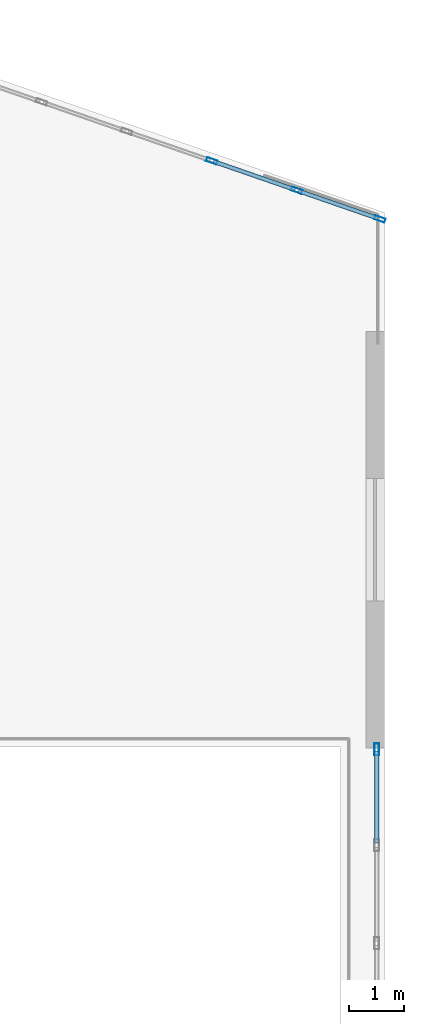
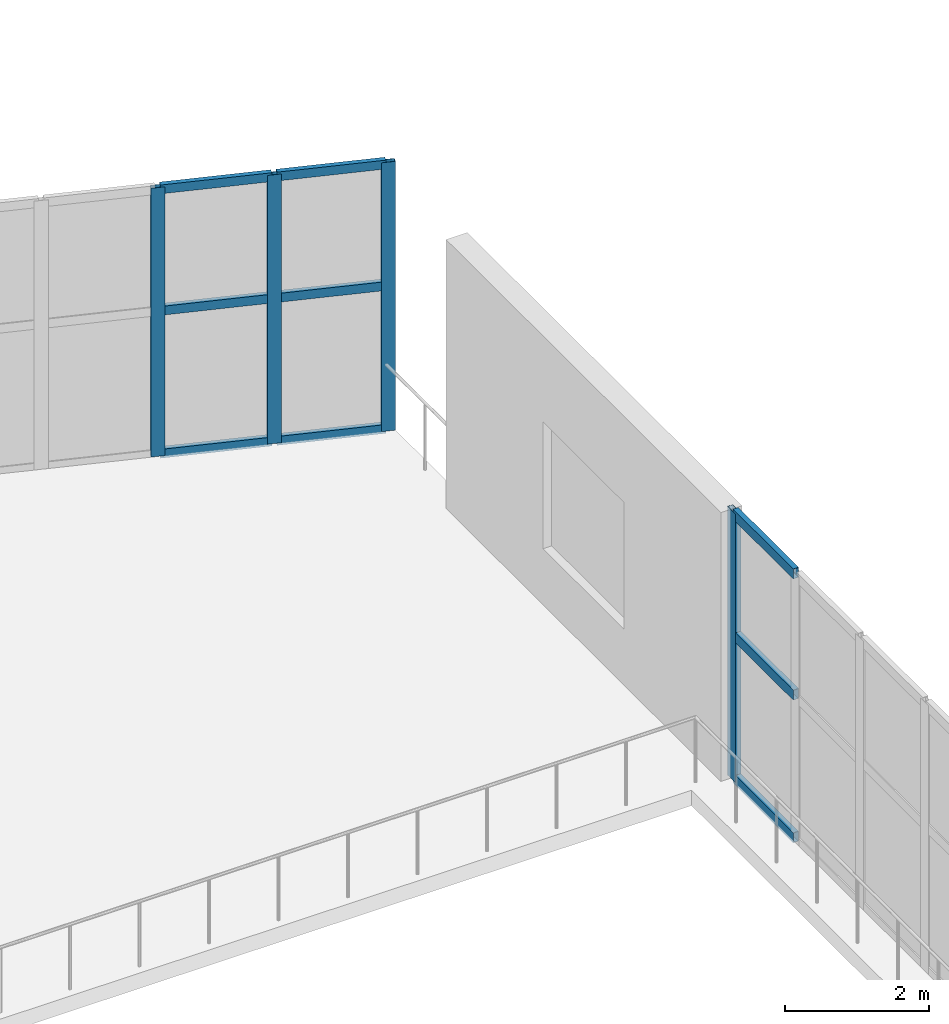
# One storey, part 40 of 72: 13 members, 2 elements without a shape of their own.
"""IFC4 building model written with IfcOpenShell, lengths in metres."""

import ifcopenshell
import ifcopenshell.guid

model = None  # the IFC model being written
_history = None  # IfcOwnerHistory: only IFC2X3 demands one
_inside = {}  # id of a spatial element -> (the spatial element, [elements in it])
_under = {}  # id of a project, library or spatial element -> (it, [spatial elements below it])
_declared = {}  # id of a project -> (the project, [libraries it declares])
_typed = {}  # id of a type object -> (the type object, [elements of that type])
_made_of = {}  # id of a material, layer set ... -> (it, [elements and type objects made of it])


def new_model(schema):
    """Start an empty IFC model of exactly this schema.

    Asked for "IFC4X3", IfcOpenShell would pick the latest addendum, in which some entities
    have other attributes; the version numbers below select the first issue.
    IFC2X3 requires an IfcOwnerHistory on every rooted entity: one is made here for all.
    """
    global model, _history
    if schema == "IFC4X3":
        model = ifcopenshell.file(schema_version=(4, 3, 0, 0))
    else:
        model = ifcopenshell.file(schema=schema)
    _inside.clear()
    _under.clear()
    _declared.clear()
    _typed.clear()
    _made_of.clear()
    _history = None
    if model.schema == "IFC2X3":
        org = make("IfcOrganization", Name="unknown")
        user = make(
            "IfcPersonAndOrganization",
            ThePerson=make("IfcPerson", FamilyName="unknown"),
            TheOrganization=org,
        )
        app = make(
            "IfcApplication",
            ApplicationDeveloper=org,
            Version="unknown",
            ApplicationFullName="unknown",
            ApplicationIdentifier="unknown",
        )
        _history = make(
            "IfcOwnerHistory",
            OwningUser=user,
            OwningApplication=app,
            ChangeAction="ADDED",
            CreationDate=0,
        )
    return model


def make(cls, **values):
    """One entity of the class cls with the attributes given. An attribute that is None is left unset."""
    return model.create_entity(
        cls, **{name: value for name, value in values.items() if value is not None}
    )


def rooted(cls, **values):
    """An entity with a GlobalId (a new one), such as an element, a storey or a relation."""
    return make(cls, GlobalId=ifcopenshell.guid.new(), OwnerHistory=_history, **values)


def si_unit(unit_type, name, prefix=None):
    """IfcSIUnit, for example si_unit("LENGTHUNIT", "METRE", prefix="MILLI")."""
    return make("IfcSIUnit", UnitType=unit_type, Prefix=prefix, Name=name)


def assignment(units):
    """IfcUnitAssignment: the units of a project."""
    return None if units is None else make("IfcUnitAssignment", Units=units)


def point(xyz):
    """IfcCartesianPoint."""
    return None if xyz is None else make("IfcCartesianPoint", Coordinates=xyz)


def direction(xyz):
    """IfcDirection."""
    return None if xyz is None else make("IfcDirection", DirectionRatios=xyz)


def frame(location, z_axis=None, x_axis=None):
    """IfcAxis2Placement3D, a coordinate frame: its origin and axes. An axis left out is left unset."""
    return make(
        "IfcAxis2Placement3D",
        Location=point(location),
        Axis=direction(z_axis),
        RefDirection=direction(x_axis),
    )


def frame_2d(location, x_axis=None):
    """IfcAxis2Placement2D, a coordinate frame in the plane: its origin and x axis."""
    return make(
        "IfcAxis2Placement2D", Location=point(location), RefDirection=direction(x_axis)
    )


def origin():
    """The frame at (0, 0, 0) with its axes left unset."""
    return frame((0.0, 0.0, 0.0))


def origin_2d():
    """The frame at (0, 0) in the plane with its x axis left unset."""
    return frame_2d((0.0, 0.0))


def place(relative_to, where):
    """IfcLocalPlacement: puts the frame where relative to a parent placement (None: the world)."""
    return make(
        "IfcLocalPlacement", PlacementRelTo=relative_to, RelativePlacement=where
    )


def context(
    kind, dimensions, precision=None, world=None, true_north=None, identifier=None
):
    """IfcGeometricRepresentationContext, for example the 3D "Model" context."""
    return make(
        "IfcGeometricRepresentationContext",
        ContextIdentifier=identifier,
        ContextType=kind,
        CoordinateSpaceDimension=dimensions,
        Precision=precision,
        WorldCoordinateSystem=world,
        TrueNorth=true_north,
    )


def subcontext(parent, identifier, kind, view, scale=None):
    """IfcGeometricRepresentationSubContext, for example "Body" below "Model"."""
    return make(
        "IfcGeometricRepresentationSubContext",
        ContextIdentifier=identifier,
        ContextType=kind,
        ParentContext=parent,
        TargetScale=scale,
        TargetView=view,
    )


def project(units=None, contexts=None):
    """IfcProject with its units and contexts."""
    return rooted(
        "IfcProject",
        Name="project",
        RepresentationContexts=contexts,
        UnitsInContext=assignment(units),
    )


def spatial(cls, under=None, at=None, **own):
    """A site, building, storey or space (cls), placed at a placement, below another one or the project."""
    s = rooted(cls, ObjectPlacement=at, **own)
    if under is not None:
        _under.setdefault(under.id(), (under, []))[1].append(s)
    return s


def profile(cls, at=None, kind="AREA", **sizes):
    """A parametric profile (cls). Its sizes go by their IFC names, for example OverallWidth=200.0."""
    return make(cls, ProfileType=kind, Position=at, **sizes)


def hollow_rectangle(**sizes):
    """IfcRectangleHollowProfileDef."""
    return profile("IfcRectangleHollowProfileDef", **sizes)


def extrude(swept, where, along, depth):
    """IfcExtrudedAreaSolid: the profile swept, set in the frame where, extruded along a direction by depth."""
    return make(
        "IfcExtrudedAreaSolid",
        SweptArea=swept,
        Position=where,
        ExtrudedDirection=direction(along),
        Depth=depth,
    )


def shape(context_of_items, identifier, shape_type, items):
    """IfcShapeRepresentation: the items that make up one representation, for example the "Body"."""
    return make(
        "IfcShapeRepresentation",
        ContextOfItems=context_of_items,
        RepresentationIdentifier=identifier,
        RepresentationType=shape_type,
        Items=items,
    )


def material(Name=None, Category=None):
    """IfcMaterial."""
    return make("IfcMaterial", Name=Name, Category=Category)


def layer(
    of_material, thickness, ventilated=None, Name=None, Category=None, Priority=None
):
    """IfcMaterialLayer: one layer of a wall or slab, of a material (None: an air gap)."""
    return make(
        "IfcMaterialLayer",
        Material=of_material,
        LayerThickness=thickness,
        IsVentilated=ventilated,
        Name=Name,
        Category=Category,
        Priority=Priority,
    )


def layer_set(layers, Name=None):
    """IfcMaterialLayerSet."""
    return make("IfcMaterialLayerSet", MaterialLayers=layers, LayerSetName=Name)


def material_profile(
    of_material, cross_section, Name=None, Category=None, Priority=None
):
    """IfcMaterialProfile: a cross section and its material."""
    return make(
        "IfcMaterialProfile",
        Name=Name,
        Material=of_material,
        Profile=cross_section,
        Priority=Priority,
        Category=Category,
    )


def profile_set(profiles, Name=None, composite=None):
    """IfcMaterialProfileSet."""
    return make(
        "IfcMaterialProfileSet",
        Name=Name,
        MaterialProfiles=profiles,
        CompositeProfile=composite,
    )


def made_of(thing, what):
    """Note that an element or type object is made of a material, layer set ...; save() writes the relation."""
    if what is not None:
        _made_of.setdefault(what.id(), (what, []))[1].append(thing)
    return thing


def type_object(cls, material=None, **own):
    """A type object (cls), such as IfcWallType, which elements share."""
    return made_of(rooted(cls, **own), material)


def element(
    cls,
    number,
    at=None,
    inside=None,
    cuts=None,
    type_object=None,
    material=None,
    context=None,
    identifier="Body",
    shape_type=None,
    held_by="IfcProductDefinitionShape",
    body=None,
    shapes=None,
    **own,
):
    """One element of the class cls, such as IfcWall. Its Tag is "e" and its number.

    at: its placement. inside: the storey or other place that contains it. cuts: it is an
    opening in that element (IfcRelVoidsElement). A single representation is given by context,
    identifier, shape_type and body (its items); several are given by shapes. held_by: the class
    of the entity that holds the representations. save() writes the other relations.
    """
    e = rooted(cls, Tag="e%d" % number, ObjectPlacement=at, **own)
    if body is not None:
        shapes = [shape(context, identifier, shape_type, body)]
    if shapes is not None:
        e.Representation = make(held_by, Representations=shapes)
    if inside is not None:
        _inside.setdefault(inside.id(), (inside, []))[1].append(e)
    if cuts is not None:
        rooted(
            "IfcRelVoidsElement", RelatingBuildingElement=cuts, RelatedOpeningElement=e
        )
    if type_object is not None:
        _typed.setdefault(type_object.id(), (type_object, []))[1].append(e)
    return made_of(e, material)


def aggregate(whole, parts):
    """IfcRelAggregates: a whole, such as a stair, and the parts it consists of."""
    return rooted("IfcRelAggregates", RelatingObject=whole, RelatedObjects=parts)


def save(model, path):
    """Write the relations noted so far, then the file.

    IfcRelAggregates (storeys below a building ...), IfcRelContainedInSpatialStructure (elements
    in a storey), IfcRelDefinesByType, IfcRelAssociatesMaterial and IfcRelDeclares: one each for
    every whole, place, type object, material and project.
    """
    for whole, parts in _under.values():
        aggregate(whole, parts)
    for where, things in _inside.values():
        rooted(
            "IfcRelContainedInSpatialStructure",
            RelatedElements=things,
            RelatingStructure=where,
        )
    for kind, things in _typed.values():
        rooted("IfcRelDefinesByType", RelatedObjects=things, RelatingType=kind)
    for what, things in _made_of.values():
        rooted("IfcRelAssociatesMaterial", RelatedObjects=things, RelatingMaterial=what)
    for by, libraries in _declared.values():
        rooted("IfcRelDeclares", RelatingContext=by, RelatedDefinitions=libraries)
    model.write(path)


model = new_model("IFC4")

# Units and contexts
model_context = context("Model", 3, precision=1e-05, world=origin(), true_north=direction((0.0, 1.0)))
body_context = subcontext(model_context, "Body", "Model", "MODEL_VIEW")
ifc_project = project(units=[si_unit("LENGTHUNIT", "METRE"), si_unit("AREAUNIT", "SQUARE_METRE"), si_unit("VOLUMEUNIT", "CUBIC_METRE"), si_unit("PLANEANGLEUNIT", "RADIAN"), si_unit("MASSUNIT", "GRAM", prefix="KILO")], contexts=[model_context])

# Site, building, storey
site_placement = place(None, origin())
site = spatial("IfcSite", under=ifc_project, at=site_placement, CompositionType="ELEMENT")
building_placement = place(site_placement, origin())
building = spatial("IfcBuilding", under=site, at=building_placement, Name="Xicomal Pleat Aquarium", CompositionType="ELEMENT")
storey_placement = place(building_placement, frame((0.0, 0.0, 10.5)))
storey = spatial("IfcBuildingStorey", under=building, at=storey_placement, Name="L03", CompositionType="ELEMENT", Elevation=10.5)

# Curtain wall, members
ifc_material_1 = material(Name="Bronze anodized aluminium 6063-T6", Category="aluminium")
ifc_layer_1 = layer(ifc_material_1, 0.159912109375)
ifc_layer_set_1 = layer_set([ifc_layer_1], Name="Bronze anodized aluminium 6063-T6")
curtain_wall_type_1 = type_object("IfcCurtainWallType", Name="CW-SYS-08", PredefinedType="NOTDEFINED", material=ifc_layer_set_1)
curtain_wall_1_placement = place(storey_placement, origin())
curtain_wall_1 = element("IfcCurtainWall", 1, at=curtain_wall_1_placement, inside=storey, type_object=curtain_wall_type_1, Name="L03 unitised curtain wall CW-L03-142", PredefinedType="NOTDEFINED")
ifc_material_2 = material(Name="Bronze anodized aluminium 6063-T6", Category="aluminium")
ifc_material_profile_1 = material_profile(ifc_material_2, hollow_rectangle(XDim=0.074951171875, YDim=0.199951171875, WallThickness=0.00439453125, at=origin_2d()), Name="ALU MULL 75x200")
ifc_profile_set_1 = profile_set([ifc_material_profile_1], Name="Bronze anodized aluminium 6063-T6")
member_type_1 = type_object("IfcMemberType", Name="CWM-75x200", PredefinedType="MULLION", material=ifc_profile_set_1)
member_1_placement = place(storey_placement, frame((161.833984375, 25.947998046875, 0.0), z_axis=(0.0, 0.0, 1.0), x_axis=(0.327110563875, 0.944986073443, 0.0)))
member_1 = element("IfcMember", 2, at=member_1_placement, type_object=member_type_1, Name="CW-08 mullion 4", PredefinedType="MULLION", context=body_context, shape_type="SweptSolid", body=[
    extrude(hollow_rectangle(XDim=0.074951171875, YDim=0.199951171875, WallThickness=0.00439453125, at=origin_2d()), origin(), (0.0, 0.0, 1.0), 4.56005859375),
])
member_2_placement = place(storey_placement, frame((163.39404296875, 25.407958984375, 0.0), z_axis=(0.0, 0.0, 1.0), x_axis=(0.327110563875, 0.944986073443, 0.0)))
member_2 = element("IfcMember", 3, at=member_2_placement, type_object=member_type_1, Name="CW-08 mullion 5", PredefinedType="MULLION", context=body_context, shape_type="SweptSolid", body=[
    extrude(hollow_rectangle(XDim=0.074951171875, YDim=0.199951171875, WallThickness=0.00439453125, at=origin_2d()), origin(), (0.0, 0.0, 1.0), 4.56005859375),
])
member_3_placement = place(storey_placement, frame((164.918701171875, 24.88037109375, 0.0), z_axis=(0.0, 0.0, 1.0), x_axis=(0.327110563875, 0.944986073443, 0.0)))
member_3 = element("IfcMember", 4, at=member_3_placement, type_object=member_type_1, Name="CW-08 mullion 6", PredefinedType="MULLION", context=body_context, shape_type="SweptSolid", body=[
    extrude(hollow_rectangle(XDim=0.074951171875, YDim=0.199951171875, WallThickness=0.00439453125, at=origin_2d()), origin(), (0.0, 0.0, 1.0), 4.56005859375),
])

# Curtain wall, member
ifc_material_3 = material(Name="Bronze anodized aluminium 6063-T6", Category="aluminium")
ifc_layer_2 = layer(ifc_material_3, 0.159912109375)
ifc_layer_set_2 = layer_set([ifc_layer_2], Name="Bronze anodized aluminium 6063-T6")
curtain_wall_type_2 = type_object("IfcCurtainWallType", Name="CW-SYS-03", PredefinedType="NOTDEFINED", material=ifc_layer_set_2)
curtain_wall_2_placement = place(storey_placement, origin())
curtain_wall_2 = element("IfcCurtainWall", 5, at=curtain_wall_2_placement, inside=storey, type_object=curtain_wall_type_2, Name="L03 unitised curtain wall CW-L03-143", PredefinedType="NOTDEFINED")
ifc_material_4 = material(Name="Bronze anodized aluminium 6063-T6", Category="aluminium")
ifc_material_profile_2 = material_profile(ifc_material_4, hollow_rectangle(XDim=0.0849609375, YDim=0.219970703125, WallThickness=0.0048828125, at=origin_2d()), Name="ALU MULL 85x220")
ifc_profile_set_2 = profile_set([ifc_material_profile_2], Name="Bronze anodized aluminium 6063-T6")
member_type_2 = type_object("IfcMemberType", Name="CWM-85x220", PredefinedType="MULLION", material=ifc_profile_set_2)
member_4_placement = place(storey_placement, frame((164.860107421875, 15.157470703125, 0.0), z_axis=(0.0, 0.0, 1.0), x_axis=(1.0, 0.0, 0.0)))
member_4 = element("IfcMember", 6, at=member_4_placement, type_object=member_type_2, Name="CW-03 mullion 1", PredefinedType="MULLION", context=body_context, shape_type="SweptSolid", body=[
    extrude(hollow_rectangle(XDim=0.0849609375, YDim=0.219970703125, WallThickness=0.0048828125, at=origin_2d()), origin(), (0.0, 0.0, 1.0), 4.56005859375),
])

# Member
ifc_material_5 = material(Name="Bronze anodized aluminium 6063-T6", Category="aluminium")
ifc_material_profile_3 = material_profile(ifc_material_5, hollow_rectangle(XDim=0.074951171875, YDim=0.14990234375, WallThickness=0.00439453125, at=origin_2d()), Name="ALU TRAN 75x150")
ifc_profile_set_3 = profile_set([ifc_material_profile_3], Name="Bronze anodized aluminium 6063-T6")
member_type_3 = type_object("IfcMemberType", Name="CWT-75x150", PredefinedType="USERDEFINED", material=ifc_profile_set_3)
member_5_placement = place(storey_placement, frame((161.869384765625, 25.935791015625, 0.03759765625), z_axis=(0.945011856392, -0.327036070302, 0.0), x_axis=(0.327036070302, 0.945011856392, 0.0)))
member_5 = element("IfcMember", 7, at=member_5_placement, type_object=member_type_3, Name="CW-08 transom 4.1", ObjectType="TRANSOM", PredefinedType="USERDEFINED", context=body_context, shape_type="SweptSolid", body=[
    extrude(hollow_rectangle(XDim=0.074951171875, YDim=0.14990234375, WallThickness=0.00439453125, at=origin_2d()), origin(), (0.0, 0.0, 1.0), 1.575927734375),
])

member_6_placement = place(storey_placement, frame((161.869384765625, 25.935791015625, 2.4619140625), z_axis=(0.945011856392, -0.327036070302, 0.0), x_axis=(0.327036070302, 0.945011856392, 0.0)))
member_6 = element("IfcMember", 8, at=member_6_placement, type_object=member_type_3, Name="CW-08 transom 4.2", ObjectType="TRANSOM", PredefinedType="USERDEFINED", context=body_context, shape_type="SweptSolid", body=[
    extrude(hollow_rectangle(XDim=0.074951171875, YDim=0.14990234375, WallThickness=0.00439453125, at=origin_2d()), origin(), (0.0, 0.0, 1.0), 1.575927734375),
])

member_7_placement = place(storey_placement, frame((161.869384765625, 25.935791015625, 4.5224609375), z_axis=(0.945011856392, -0.327036070302, 0.0), x_axis=(0.327036070302, 0.945011856392, 0.0)))
member_7 = element("IfcMember", 9, at=member_7_placement, type_object=member_type_3, Name="CW-08 transom 4.3", ObjectType="TRANSOM", PredefinedType="USERDEFINED", context=body_context, shape_type="SweptSolid", body=[
    extrude(hollow_rectangle(XDim=0.074951171875, YDim=0.14990234375, WallThickness=0.00439453125, at=origin_2d()), origin(), (0.0, 0.0, 1.0), 1.575927734375),
])

member_8_placement = place(storey_placement, frame((163.429443359375, 25.395751953125, 0.03759765625), z_axis=(0.94498607344, -0.327110563883, 0.0), x_axis=(0.327110563883, 0.94498607344, 0.0)))
member_8 = element("IfcMember", 10, at=member_8_placement, type_object=member_type_3, Name="CW-08 transom 5.1", ObjectType="TRANSOM", PredefinedType="USERDEFINED", context=body_context, shape_type="SweptSolid", body=[
    extrude(hollow_rectangle(XDim=0.074951171875, YDim=0.14990234375, WallThickness=0.00439453125, at=origin_2d()), origin(), (0.0, 0.0, 1.0), 1.538330078125),
])

member_9_placement = place(storey_placement, frame((163.429443359375, 25.395751953125, 2.4619140625), z_axis=(0.94498607344, -0.327110563883, 0.0), x_axis=(0.327110563883, 0.94498607344, 0.0)))
member_9 = element("IfcMember", 11, at=member_9_placement, type_object=member_type_3, Name="CW-08 transom 5.2", ObjectType="TRANSOM", PredefinedType="USERDEFINED", context=body_context, shape_type="SweptSolid", body=[
    extrude(hollow_rectangle(XDim=0.074951171875, YDim=0.14990234375, WallThickness=0.00439453125, at=origin_2d()), origin(), (0.0, 0.0, 1.0), 1.538330078125),
])

member_10_placement = place(storey_placement, frame((163.429443359375, 25.395751953125, 4.5224609375), z_axis=(0.94498607344, -0.327110563883, 0.0), x_axis=(0.327110563883, 0.94498607344, 0.0)))
member_10 = element("IfcMember", 12, at=member_10_placement, type_object=member_type_3, Name="CW-08 transom 5.3", ObjectType="TRANSOM", PredefinedType="USERDEFINED", context=body_context, shape_type="SweptSolid", body=[
    extrude(hollow_rectangle(XDim=0.074951171875, YDim=0.14990234375, WallThickness=0.00439453125, at=origin_2d()), origin(), (0.0, 0.0, 1.0), 1.538330078125),
])

aggregate(curtain_wall_1, [member_1, member_2, member_3, member_5, member_6, member_7, member_8, member_9, member_10])

ifc_material_6 = material(Name="Bronze anodized aluminium 6063-T6", Category="aluminium")
ifc_material_profile_4 = material_profile(ifc_material_6, hollow_rectangle(XDim=0.0849609375, YDim=0.169921875, WallThickness=0.0048828125, at=origin_2d()), Name="ALU TRAN 85x170")
ifc_profile_set_4 = profile_set([ifc_material_profile_4], Name="Bronze anodized aluminium 6063-T6")
member_type_4 = type_object("IfcMemberType", Name="CWT-85x170", PredefinedType="USERDEFINED", material=ifc_profile_set_4)
member_11_placement = place(storey_placement, frame((164.860107421875, 15.114990234375, 0.04248046875), z_axis=(0.0, -1.0, 0.0), x_axis=(1.0, 0.0, 0.0)))
member_11 = element("IfcMember", 13, at=member_11_placement, type_object=member_type_4, Name="CW-03 transom 1.1", ObjectType="TRANSOM", PredefinedType="USERDEFINED", context=body_context, shape_type="SweptSolid", body=[
    extrude(hollow_rectangle(XDim=0.0849609375, YDim=0.169921875, WallThickness=0.0048828125, at=origin_2d()), origin(), (0.0, 0.0, 1.0), 1.672607421875),
])

member_12_placement = place(storey_placement, frame((164.860107421875, 15.114990234375, 2.4619140625), z_axis=(0.0, -1.0, 0.0), x_axis=(1.0, 0.0, 0.0)))
member_12 = element("IfcMember", 14, at=member_12_placement, type_object=member_type_4, Name="CW-03 transom 1.2", ObjectType="TRANSOM", PredefinedType="USERDEFINED", context=body_context, shape_type="SweptSolid", body=[
    extrude(hollow_rectangle(XDim=0.0849609375, YDim=0.169921875, WallThickness=0.0048828125, at=origin_2d()), origin(), (0.0, 0.0, 1.0), 1.672607421875),
])

member_13_placement = place(storey_placement, frame((164.860107421875, 15.114990234375, 4.517578125), z_axis=(0.0, -1.0, 0.0), x_axis=(1.0, 0.0, 0.0)))
member_13 = element("IfcMember", 15, at=member_13_placement, type_object=member_type_4, Name="CW-03 transom 1.3", ObjectType="TRANSOM", PredefinedType="USERDEFINED", context=body_context, shape_type="SweptSolid", body=[
    extrude(hollow_rectangle(XDim=0.0849609375, YDim=0.169921875, WallThickness=0.0048828125, at=origin_2d()), origin(), (0.0, 0.0, 1.0), 1.672607421875),
])

aggregate(curtain_wall_2, [member_4, member_11, member_12, member_13])

save(model, "model.ifc")
